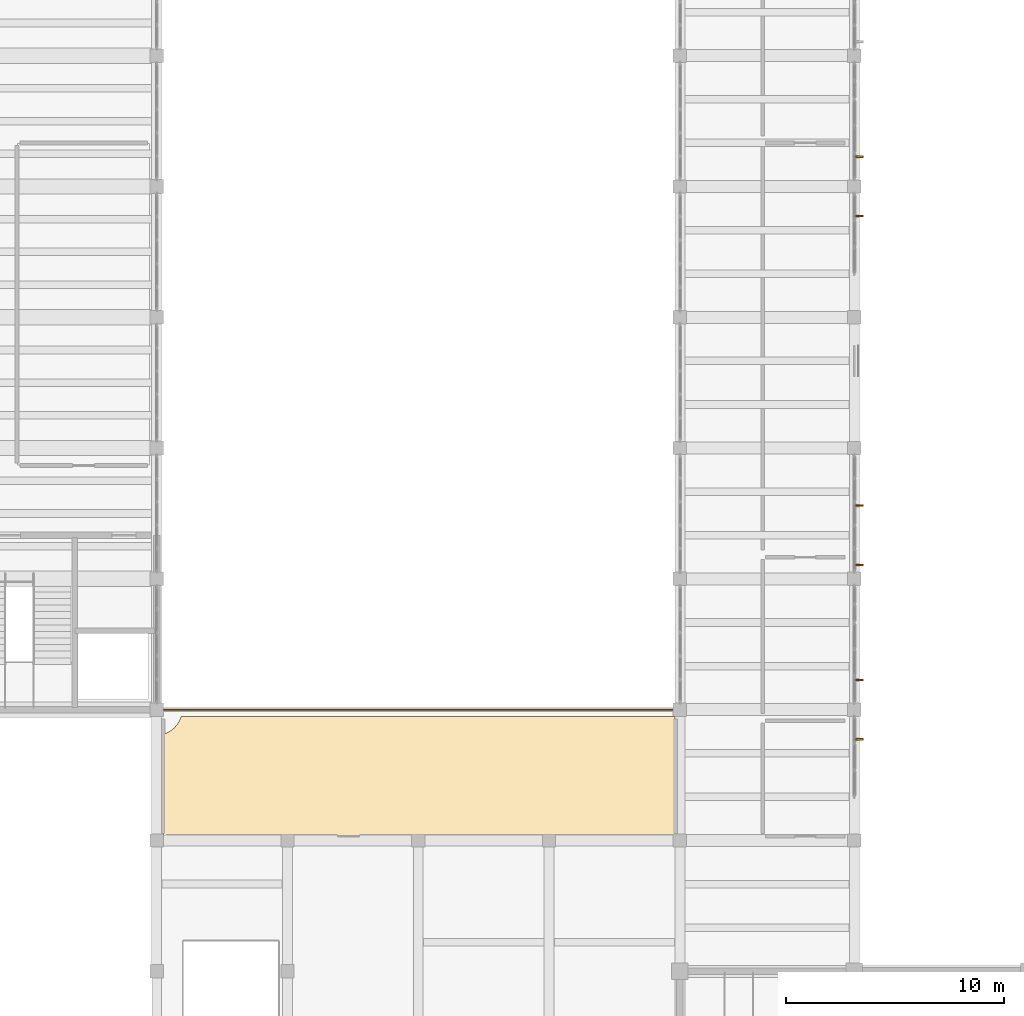
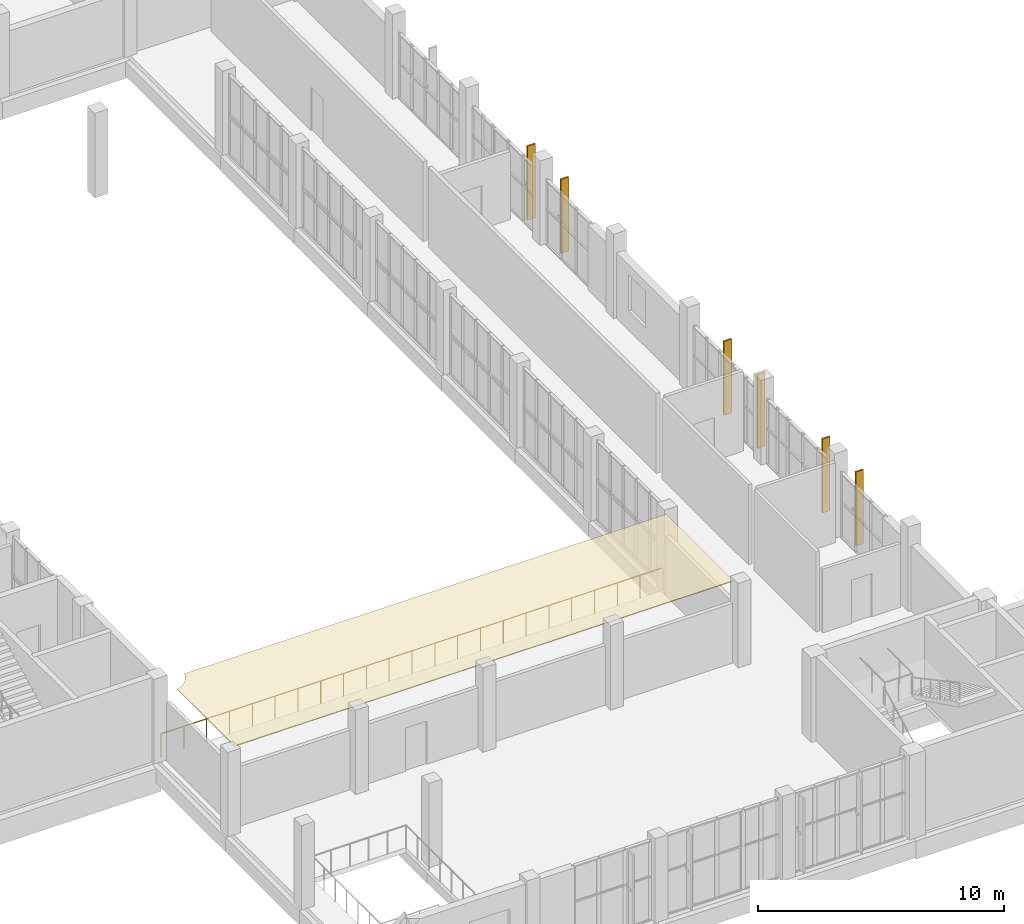
# One storey, part 77 of 85: 6 shading devices, 1 covering, 1 railing.
"""IFC4 building model written with IfcOpenShell, lengths in metres."""

from ifc_helpers import new_model, si_unit, direction, frame, origin, origin_2d, place, context, subcontext, project, spatial, polyline, rectangle, circle, outline, extrude, material, layer, layer_set, type_object, element, save


model = new_model("IFC4")

# Units and contexts
model_context = context("Model", 3, precision=1e-05, world=origin(), true_north=direction((0.0, 1.0)))
body_context = subcontext(model_context, "Body", "Model", "MODEL_VIEW")
ifc_project = project(units=[si_unit("LENGTHUNIT", "METRE"), si_unit("AREAUNIT", "SQUARE_METRE"), si_unit("VOLUMEUNIT", "CUBIC_METRE"), si_unit("PLANEANGLEUNIT", "RADIAN"), si_unit("MASSUNIT", "GRAM", prefix="KILO")], contexts=[model_context])

# Site, building, storey
site_placement = place(None, origin())
site = spatial("IfcSite", under=ifc_project, at=site_placement, CompositionType="ELEMENT")
building_placement = place(site_placement, origin())
building = spatial("IfcBuilding", under=site, at=building_placement, Name="Solvane Community Centre", CompositionType="ELEMENT")
storey_placement = place(building_placement, frame((0.0, 0.0, 5.39990234375)))
storey = spatial("IfcBuildingStorey", under=building, at=storey_placement, Name="L01", CompositionType="ELEMENT", Elevation=5.39990234375)

# Covering
ifc_material_1 = material(Name="Acoustic timber slat ceiling", Category="wood")
ifc_layer = layer(ifc_material_1, 0.0400390625)
ifc_layer_set = layer_set([ifc_layer], Name="Acoustic timber slat ceiling")
covering_type = type_object("IfcCoveringType", Name="Acoustic Timber Slat Suspended Ceiling", PredefinedType="CEILING", material=ifc_layer_set)
covering_placement = place(storey_placement, frame((0.0, 0.0, 3.955078125)))
element("IfcCovering", 1, at=covering_placement, inside=storey, type_object=covering_type, Name="Acoustic Ceiling L01-05", PredefinedType="CEILING", context=body_context, shape_type="SweptSolid", body=[
    extrude(outline(polyline([(59.780029296875, 41.679931640625), (59.780029296875, 36.219970703125), (36.320068359375, 36.219970703125), (36.320068359375, 40.885986328125), (36.38330078125, 40.9052734375), (36.398193359375, 40.91064453125), (36.48876953125, 40.9482421875), (36.5029296875, 40.954833984375), (36.589599609375, 41.001220703125), (36.60302734375, 41.00927734375), (36.6845703125, 41.063720703125), (36.697265625, 41.072998046875), (36.773193359375, 41.135498046875), (36.78466796875, 41.14599609375), (36.85400390625, 41.21533203125), (36.864501953125, 41.226806640625), (36.927001953125, 41.302734375), (36.936279296875, 41.3154296875), (36.99072265625, 41.39697265625), (36.998779296875, 41.410400390625), (37.045166015625, 41.4970703125), (37.0517578125, 41.51123046875), (37.08935546875, 41.601806640625), (37.0947265625, 41.61669921875), (37.114013671875, 41.679931640625), (59.780029296875, 41.679931640625)])), origin(), (0.0, 0.0, 1.0), 0.0400390625),
])

# Shading devices
ifc_material_2 = material(Name="Anodised bronze aluminium AW-6063 T6", Category="aluminium")
shading_device_type = type_object("IfcShadingDeviceType", Name="Art Deco Bronze Solar Fin 80x360", PredefinedType="USERDEFINED", material=ifc_material_2)
shading_device_1_placement = place(storey_placement, frame((68.239990234375, 67.360107421875, 0.14990234375), z_axis=(0.0, 0.0, 1.0), x_axis=(0.0, -1.0, 0.0)))
element("IfcShadingDevice", 2, at=shading_device_1_placement, inside=storey, type_object=shading_device_type, Name="Solar Brise-Soleil Fin 51", ObjectType="Solar Brise-Soleil Fin 51", PredefinedType="USERDEFINED", context=body_context, shape_type="SweptSolid", body=[
    extrude(rectangle(XDim=0.080078125, YDim=0.360107421875, at=origin_2d()), origin(), (0.0, 0.0, 1.0), 3.679931640625),
])
shading_device_2_placement = place(storey_placement, frame((68.239990234375, 64.639892578125, 0.14990234375), z_axis=(0.0, 0.0, 1.0), x_axis=(0.0, -1.0, 0.0)))
element("IfcShadingDevice", 3, at=shading_device_2_placement, inside=storey, type_object=shading_device_type, Name="Solar Brise-Soleil Fin 52", ObjectType="Solar Brise-Soleil Fin 52", PredefinedType="USERDEFINED", context=body_context, shape_type="SweptSolid", body=[
    extrude(rectangle(XDim=0.080078125, YDim=0.360107421875, at=origin_2d()), origin(), (0.0, 0.0, 1.0), 3.679931640625),
])
shading_device_3_placement = place(storey_placement, frame((68.239990234375, 51.360107421875, 0.14990234375), z_axis=(0.0, 0.0, 1.0), x_axis=(0.0, -1.0, 0.0)))
element("IfcShadingDevice", 4, at=shading_device_3_placement, inside=storey, type_object=shading_device_type, Name="Solar Brise-Soleil Fin 53", ObjectType="Solar Brise-Soleil Fin 53", PredefinedType="USERDEFINED", context=body_context, shape_type="SweptSolid", body=[
    extrude(rectangle(XDim=0.080078125, YDim=0.360107421875, at=origin_2d()), origin(), (0.0, 0.0, 1.0), 3.679931640625),
])
shading_device_4_placement = place(storey_placement, frame((68.239990234375, 48.639892578125, 0.14990234375), z_axis=(0.0, 0.0, 1.0), x_axis=(0.0, -1.0, 0.0)))
element("IfcShadingDevice", 5, at=shading_device_4_placement, inside=storey, type_object=shading_device_type, Name="Solar Brise-Soleil Fin 54", ObjectType="Solar Brise-Soleil Fin 54", PredefinedType="USERDEFINED", context=body_context, shape_type="SweptSolid", body=[
    extrude(rectangle(XDim=0.080078125, YDim=0.360107421875, at=origin_2d()), origin(), (0.0, 0.0, 1.0), 3.679931640625),
])
shading_device_5_placement = place(storey_placement, frame((68.239990234375, 43.360107421875, 0.14990234375), z_axis=(0.0, 0.0, 1.0), x_axis=(0.0, -1.0, 0.0)))
element("IfcShadingDevice", 6, at=shading_device_5_placement, inside=storey, type_object=shading_device_type, Name="Solar Brise-Soleil Fin 55", ObjectType="Solar Brise-Soleil Fin 55", PredefinedType="USERDEFINED", context=body_context, shape_type="SweptSolid", body=[
    extrude(rectangle(XDim=0.080078125, YDim=0.360107421875, at=origin_2d()), origin(), (0.0, 0.0, 1.0), 3.679931640625),
])
shading_device_6_placement = place(storey_placement, frame((68.239990234375, 40.639892578125, 0.14990234375), z_axis=(0.0, 0.0, 1.0), x_axis=(0.0, -1.0, 0.0)))
element("IfcShadingDevice", 7, at=shading_device_6_placement, inside=storey, type_object=shading_device_type, Name="Solar Brise-Soleil Fin 56", ObjectType="Solar Brise-Soleil Fin 56", PredefinedType="USERDEFINED", context=body_context, shape_type="SweptSolid", body=[
    extrude(rectangle(XDim=0.080078125, YDim=0.360107421875, at=origin_2d()), origin(), (0.0, 0.0, 1.0), 3.679931640625),
])

# Railing
railing_type = type_object("IfcRailingType", Name="Interior Gallery & Stair Well Guard 1150mm", PredefinedType="BALUSTRADE", material=ifc_material_2)
railing_placement = place(storey_placement, frame((36.199951171875, 42.0, 0.0)))
element("IfcRailing", 8, at=railing_placement, inside=storey, type_object=railing_type, Name="Railing GR-L01-136", PredefinedType="BALUSTRADE", context=body_context, shape_type="SweptSolid", body=[
    extrude(circle(Radius=0.02392578125, at=origin_2d()), frame((0.0, 0.0, 1.1259765625), z_axis=(1.0, 0.0, 0.0), x_axis=(0.0, 1.0, 0.0)), (0.0, 0.0, 1.0), 23.60009765625),
    extrude(circle(Radius=0.02099609375, at=origin_2d()), origin(), (0.0, 0.0, 1.0), 1.101806640625),
    extrude(circle(Radius=0.02099609375, at=origin_2d()), frame((1.07275390625, 0.0, 0.0)), (0.0, 0.0, 1.0), 1.101806640625),
    extrude(circle(Radius=0.02099609375, at=origin_2d()), frame((2.1455078125, 0.0, 0.0)), (0.0, 0.0, 1.0), 1.101806640625),
    extrude(circle(Radius=0.02099609375, at=origin_2d()), frame((3.21826171875, 0.0, 0.0)), (0.0, 0.0, 1.0), 1.101806640625),
    extrude(circle(Radius=0.02099609375, at=origin_2d()), frame((4.291015625, 0.0, 0.0)), (0.0, 0.0, 1.0), 1.101806640625),
    extrude(circle(Radius=0.02099609375, at=origin_2d()), frame((5.36376953125, 0.0, 0.0)), (0.0, 0.0, 1.0), 1.101806640625),
    extrude(circle(Radius=0.02099609375, at=origin_2d()), frame((6.436279296875, 0.0, 0.0)), (0.0, 0.0, 1.0), 1.101806640625),
    extrude(circle(Radius=0.02099609375, at=origin_2d()), frame((7.509033203125, 0.0, 0.0)), (0.0, 0.0, 1.0), 1.101806640625),
    extrude(circle(Radius=0.02099609375, at=origin_2d()), frame((8.581787109375, 0.0, 0.0)), (0.0, 0.0, 1.0), 1.101806640625),
    extrude(circle(Radius=0.02099609375, at=origin_2d()), frame((9.654541015625, 0.0, 0.0)), (0.0, 0.0, 1.0), 1.101806640625),
    extrude(circle(Radius=0.02099609375, at=origin_2d()), frame((10.727294921875, 0.0, 0.0)), (0.0, 0.0, 1.0), 1.101806640625),
    extrude(circle(Radius=0.02099609375, at=origin_2d()), frame((11.800048828125, 0.0, 0.0)), (0.0, 0.0, 1.0), 1.101806640625),
    extrude(circle(Radius=0.02099609375, at=origin_2d()), frame((12.872802734375, 0.0, 0.0)), (0.0, 0.0, 1.0), 1.101806640625),
    extrude(circle(Radius=0.02099609375, at=origin_2d()), frame((13.945556640625, 0.0, 0.0)), (0.0, 0.0, 1.0), 1.101806640625),
    extrude(circle(Radius=0.02099609375, at=origin_2d()), frame((15.018310546875, 0.0, 0.0)), (0.0, 0.0, 1.0), 1.101806640625),
    extrude(circle(Radius=0.02099609375, at=origin_2d()), frame((16.091064453125, 0.0, 0.0)), (0.0, 0.0, 1.0), 1.101806640625),
    extrude(circle(Radius=0.02099609375, at=origin_2d()), frame((17.163818359375, 0.0, 0.0)), (0.0, 0.0, 1.0), 1.101806640625),
    extrude(circle(Radius=0.02099609375, at=origin_2d()), frame((18.236328125, 0.0, 0.0)), (0.0, 0.0, 1.0), 1.101806640625),
    extrude(circle(Radius=0.02099609375, at=origin_2d()), frame((19.30908203125, 0.0, 0.0)), (0.0, 0.0, 1.0), 1.101806640625),
    extrude(circle(Radius=0.02099609375, at=origin_2d()), frame((20.3818359375, 0.0, 0.0)), (0.0, 0.0, 1.0), 1.101806640625),
    extrude(circle(Radius=0.02099609375, at=origin_2d()), frame((21.45458984375, 0.0, 0.0)), (0.0, 0.0, 1.0), 1.101806640625),
    extrude(circle(Radius=0.02099609375, at=origin_2d()), frame((22.52734375, 0.0, 0.0)), (0.0, 0.0, 1.0), 1.101806640625),
    extrude(circle(Radius=0.02099609375, at=origin_2d()), frame((23.60009765625, 0.0, 0.0)), (0.0, 0.0, 1.0), 1.101806640625),
])

save(model, "model.ifc")
